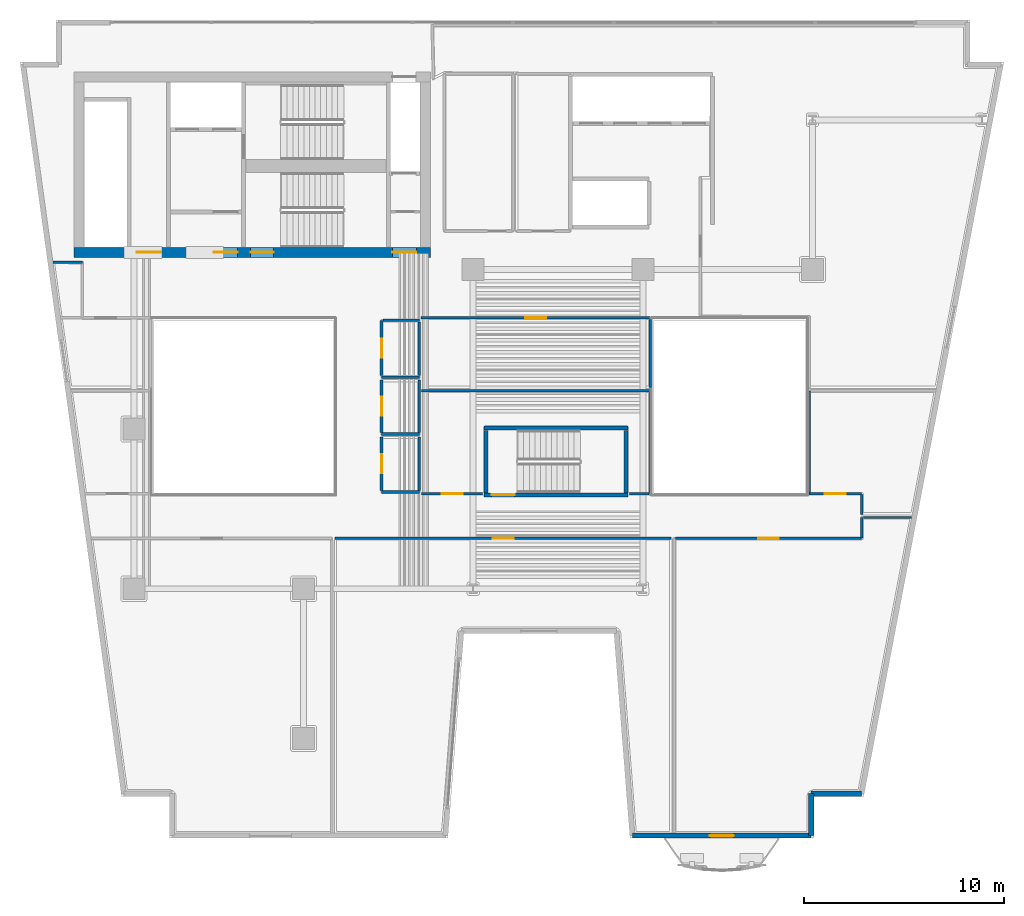
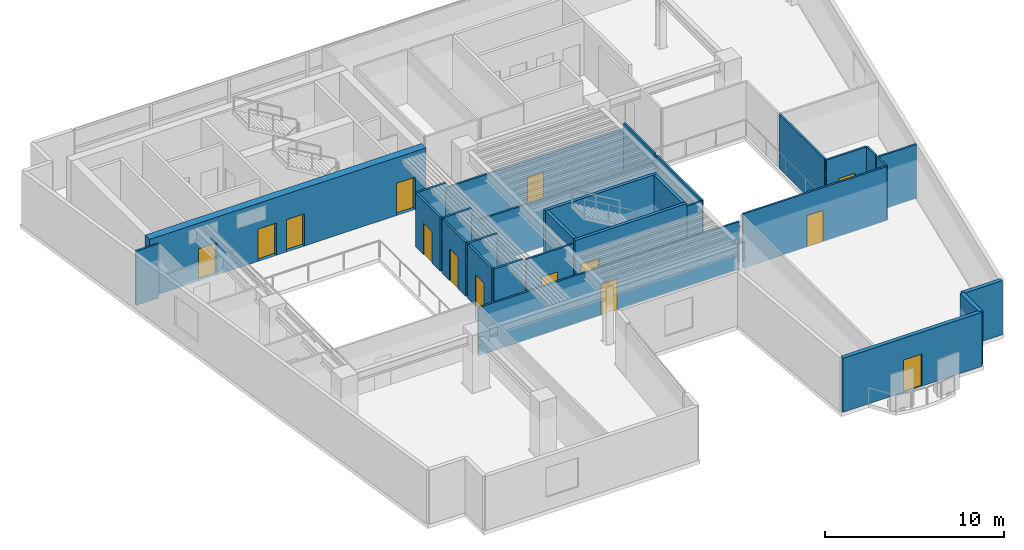
# One storey, part 6 of 13: 32 walls, 14 doors, 14 openings.
"""IFC4 building model written with IfcOpenShell, lengths in metres."""

from ifc_helpers import new_model, si_unit, direction, frame, frame_2d, origin, place, context, subcontext, project, spatial, rectangle, extrude, material, layer, layer_set, type_object, element, fill, save


model = new_model("IFC4")

# Units and contexts
model_context = context("Model", 3, precision=1e-05, world=origin(), true_north=direction((0.0, 1.0)))
body_context = subcontext(model_context, "Body", "Model", "MODEL_VIEW")
ifc_project = project(units=[si_unit("LENGTHUNIT", "METRE"), si_unit("AREAUNIT", "SQUARE_METRE"), si_unit("VOLUMEUNIT", "CUBIC_METRE"), si_unit("PLANEANGLEUNIT", "RADIAN"), si_unit("MASSUNIT", "GRAM", prefix="KILO")], contexts=[model_context])

# Site, building, storey
site_placement = place(None, origin())
site = spatial("IfcSite", under=ifc_project, at=site_placement, CompositionType="ELEMENT")
building_placement = place(site_placement, origin())
building = spatial("IfcBuilding", under=site, at=building_placement, Name="Caeloran Harvest Quay", CompositionType="ELEMENT")
storey_placement = place(building_placement, frame((0.0, 0.0, 139.050048828125)))
storey = spatial("IfcBuildingStorey", under=building, at=storey_placement, Name="L32", CompositionType="ELEMENT", Elevation=139.050048828125)

# Walls
ifc_material_1 = material(Name="Precast concrete C50/60", Category="concrete")
ifc_layer_1 = layer(ifc_material_1, 0.260009765625, Name="Precast concrete C50/60")
ifc_layer_set_1 = layer_set([ifc_layer_1], Name="Precast concrete C50/60")
wall_type_1 = type_object("IfcWallType", Name="ENV-WALL-EW-260", PredefinedType="STANDARD", material=ifc_layer_set_1)
wall_1_placement = place(storey_placement, frame((44.96337890625, 4.72998046875, 0.0), z_axis=(0.0, 0.0, 1.0), x_axis=(-1.0, 0.0, 0.0)))
element("IfcWall", 1, at=wall_1_placement, inside=storey, type_object=wall_type_1, Name="L32 Exterior Precast Concrete Facade Wall 10", PredefinedType="STANDARD", context=body_context, shape_type="SweptSolid", body=[
    extrude(rectangle(XDim=2.5234375, YDim=0.260009765625, at=frame_2d((1.26171875, 0.0))), origin(), (0.0, 0.0, 1.0), 3.68994140625),
])
wall_2_placement = place(storey_placement, frame((42.43994140625, 4.72998046875, 0.0), z_axis=(0.0, 0.0, 1.0), x_axis=(0.0, -1.0, 0.0)))
element("IfcWall", 2, at=wall_2_placement, inside=storey, type_object=wall_type_1, Name="L32 Exterior Precast Concrete Facade Wall 11", PredefinedType="STANDARD", context=body_context, shape_type="SweptSolid", body=[
    extrude(rectangle(XDim=2.10009765625, YDim=0.260009765625, at=frame_2d((1.050048828125, 0.0))), origin(), (0.0, 0.0, 1.0), 3.68994140625),
])

# Wall, opening, door
wall_3_placement = place(storey_placement, frame((42.43994140625, 2.6298828125, 0.0), z_axis=(0.0, 0.0, 1.0), x_axis=(-1.0, 0.0, 0.0)))
wall_3 = element("IfcWall", 3, at=wall_3_placement, inside=storey, type_object=wall_type_1, Name="L32 Exterior Precast Concrete Facade Wall 12", PredefinedType="STANDARD", context=body_context, shape_type="SweptSolid", body=[
    extrude(rectangle(XDim=8.96484375, YDim=0.260009765625, at=frame_2d((4.482421875, 0.0))), origin(), (0.0, 0.0, 1.0), 3.68994140625),
])
opening_1_placement = place(wall_3_placement, frame((3.882080078125, 0.0, 0.0)))
opening_1 = element("IfcOpeningElement", 4, at=opening_1_placement, cuts=wall_3, Name="Opening BD-01", PredefinedType="OPENING", context=body_context, shape_type="SweptSolid", body=[
    extrude(rectangle(XDim=1.199951171875, YDim=2.199951171875, at=frame_2d((0.60009765625, 1.10009765625))), frame((0.0, 0.14013671875, 0.0), z_axis=(0.0, -1.0, 0.0), x_axis=(1.0, 0.0, 0.0)), (0.0, 0.0, 1.0), 0.280029296875),
])
ifc_material_2 = material(Name="Thermally Broken Powder-Coated Aluminium and Safety Glass", Category="aluminium")
door_type_1 = type_object("IfcDoorType", Name="EXTDOOR-BD-01", OperationType="NOTDEFINED", PredefinedType="DOOR", material=ifc_material_2)
door_1_placement = place(opening_1_placement, origin())
door_1 = element("IfcDoor", 5, at=door_1_placement, inside=storey, type_object=door_type_1, Name="L32 Planted Balcony Glazed Access Door", OperationType="SINGLE_SWING_LEFT", OverallHeight=2.199951171875, OverallWidth=1.199951171875, PredefinedType="DOOR", context=body_context, shape_type="SweptSolid", body=[
    extrude(rectangle(XDim=1.199951171875, YDim=2.199951171875, at=frame_2d((0.60009765625, 1.10009765625))), frame((0.0, 0.02490234375, 0.0), z_axis=(0.0, -1.0, 0.0), x_axis=(1.0, 0.0, 0.0)), (0.0, 0.0, 1.0), 0.050048828125),
])
fill(opening_1, door_1)

# Walls
ifc_material_3 = material(Name="Twin-Stud Mineral-Wool Acoustic Gypsum Partition", Category="gypsum")
ifc_layer_2 = layer(ifc_material_3, 0.125, Name="Twin-Stud Mineral-Wool Acoustic Gypsum Partition")
ifc_layer_set_2 = layer_set([ifc_layer_2], Name="Twin-Stud Mineral-Wool Acoustic Gypsum Partition")
wall_type_2 = type_object("IfcWallType", Name="INT-WALL-PW-125", PredefinedType="PARTITIONING", material=ifc_layer_set_2)
wall_4_placement = place(storey_placement, frame((44.97998046875, 17.550048828125, 0.0), z_axis=(0.0, 0.0, 1.0), x_axis=(0.0, 1.0, 0.0)))
element("IfcWall", 6, at=wall_4_placement, inside=storey, type_object=wall_type_2, Name="Food Texture Sensory Laboratory Partition Wall", PredefinedType="PARTITIONING", context=body_context, shape_type="SweptSolid", body=[
    extrude(rectangle(XDim=1.02001953125, YDim=0.125, at=frame_2d((0.510009765625, 0.0))), origin(), (0.0, 0.0, 1.0), 3.68994140625),
])
wall_5_placement = place(storey_placement, frame((45.047607421875, 18.570068359375, 0.0), z_axis=(0.0, 0.0, 1.0), x_axis=(1.0, 0.0, 0.0)))
element("IfcWall", 7, at=wall_5_placement, inside=storey, type_object=wall_type_2, Name="Food Texture Sensory Laboratory Partition Wall", PredefinedType="PARTITIONING", context=body_context, shape_type="SweptSolid", body=[
    extrude(rectangle(XDim=2.421630859375, YDim=0.125, at=frame_2d((1.2109375, 0.0))), origin(), (0.0, 0.0, 1.0), 3.68994140625),
])

# Wall, opening, door
wall_6_placement = place(storey_placement, frame((35.6474609375, 17.52001953125, 0.0), z_axis=(0.0, 0.0, 1.0), x_axis=(1.0, 0.0, 0.0)))
wall_6 = element("IfcWall", 8, at=wall_6_placement, inside=storey, type_object=wall_type_2, Name="Food Texture Sensory Laboratory Partition Wall", PredefinedType="PARTITIONING", context=body_context, shape_type="SweptSolid", body=[
    extrude(rectangle(XDim=9.302490234375, YDim=0.125, at=frame_2d((4.6513671875, 0.0))), origin(), (0.0, 0.0, 1.0), 3.68994140625),
])
opening_2_placement = place(wall_6_placement, frame((4.126220703125, 0.0, 0.0)))
opening_2 = element("IfcOpeningElement", 9, at=opening_2_placement, cuts=wall_6, Name="Opening ID-03", PredefinedType="OPENING", context=body_context, shape_type="SweptSolid", body=[
    extrude(rectangle(XDim=1.050048828125, YDim=2.14990234375, at=frame_2d((0.52490234375, 1.074951171875))), frame((0.0, 0.072509765625, 0.0), z_axis=(0.0, -1.0, 0.0), x_axis=(1.0, 0.0, 0.0)), (0.0, 0.0, 1.0), 0.14501953125),
])
ifc_material_4 = material(Name="FSC Solid-Core Oak Timber Leaf", Category="wood")
door_type_2 = type_object("IfcDoorType", Name="INTDOOR-ID-03", OperationType="NOTDEFINED", PredefinedType="DOOR", material=ifc_material_4)
door_2_placement = place(opening_2_placement, origin())
door_2 = element("IfcDoor", 10, at=door_2_placement, inside=storey, type_object=door_type_2, Name="Food Texture Sensory Laboratory Access Door", OperationType="SINGLE_SWING_LEFT", OverallHeight=2.14990234375, OverallWidth=1.050048828125, PredefinedType="DOOR", context=body_context, shape_type="SweptSolid", body=[
    extrude(rectangle(XDim=1.050048828125, YDim=2.14990234375, at=frame_2d((0.52490234375, 1.074951171875))), frame((0.0, 0.02490234375, 0.0), z_axis=(0.0, -1.0, 0.0), x_axis=(1.0, 0.0, 0.0)), (0.0, 0.0, 1.0), 0.050048828125),
])
fill(opening_2, door_2)

wall_7_placement = place(storey_placement, frame((18.580078125, 17.52001953125, 0.0), z_axis=(0.0, 0.0, 1.0), x_axis=(1.0, 0.0, 0.0)))
wall_7 = element("IfcWall", 11, at=wall_7_placement, inside=storey, type_object=wall_type_2, Name="Fermentation Pilot Laboratory Partition Wall", PredefinedType="PARTITIONING", context=body_context, shape_type="SweptSolid", body=[
    extrude(rectangle(XDim=16.83984375, YDim=0.125, at=frame_2d((8.419921875, 0.0))), origin(), (0.0, 0.0, 1.0), 3.27490234375),
])
opening_3_placement = place(wall_7_placement, frame((7.89501953125, 0.0, 0.0)))
opening_3 = element("IfcOpeningElement", 12, at=opening_3_placement, cuts=wall_7, Name="Opening ID-03", PredefinedType="OPENING", context=body_context, shape_type="SweptSolid", body=[
    extrude(rectangle(XDim=1.050048828125, YDim=2.14990234375, at=frame_2d((0.52490234375, 1.074951171875))), frame((0.0, 0.072509765625, 0.0), z_axis=(0.0, -1.0, 0.0), x_axis=(1.0, 0.0, 0.0)), (0.0, 0.0, 1.0), 0.14501953125),
])
door_3_placement = place(opening_3_placement, origin())
door_3 = element("IfcDoor", 13, at=door_3_placement, inside=storey, type_object=door_type_2, Name="Fermentation Pilot Laboratory Access Door", OperationType="SINGLE_SWING_RIGHT", OverallHeight=2.14990234375, OverallWidth=1.050048828125, PredefinedType="DOOR", context=body_context, shape_type="SweptSolid", body=[
    extrude(rectangle(XDim=1.050048828125, YDim=2.14990234375, at=frame_2d((0.52490234375, 1.074951171875))), frame((0.0, 0.02490234375, 0.0), z_axis=(0.0, -1.0, 0.0), x_axis=(1.0, 0.0, 0.0)), (0.0, 0.0, 1.0), 0.050048828125),
])
fill(opening_3, door_3)

wall_8_placement = place(storey_placement, frame((44.949951171875, 19.75, 0.0), z_axis=(0.0, 0.0, 1.0), x_axis=(-1.0, 0.0, 0.0)))
wall_8 = element("IfcWall", 14, at=wall_8_placement, inside=storey, type_object=wall_type_2, Name="Bioreactor Pilot Hall Partition Wall", PredefinedType="PARTITIONING", context=body_context, shape_type="SweptSolid", body=[
    extrude(rectangle(XDim=2.619873046875, YDim=0.125, at=frame_2d((1.31005859375, 0.0))), origin(), (0.0, 0.0, 1.0), 3.68994140625),
])
opening_4_placement = place(wall_8_placement, frame((0.784912109375, 0.0, 0.0)))
opening_4 = element("IfcOpeningElement", 15, at=opening_4_placement, cuts=wall_8, Name="Opening ID-03", PredefinedType="OPENING", context=body_context, shape_type="SweptSolid", body=[
    extrude(rectangle(XDim=1.050048828125, YDim=2.14990234375, at=frame_2d((0.52490234375, 1.074951171875))), frame((0.0, 0.072509765625, 0.0), z_axis=(0.0, -1.0, 0.0), x_axis=(1.0, 0.0, 0.0)), (0.0, 0.0, 1.0), 0.14501953125),
])
door_4_placement = place(opening_4_placement, origin())
door_4 = element("IfcDoor", 16, at=door_4_placement, inside=storey, type_object=door_type_2, Name="Bioreactor Pilot Hall Access Door", OperationType="SINGLE_SWING_LEFT", OverallHeight=2.14990234375, OverallWidth=1.050048828125, PredefinedType="DOOR", context=body_context, shape_type="SweptSolid", body=[
    extrude(rectangle(XDim=1.050048828125, YDim=2.14990234375, at=frame_2d((0.52490234375, 1.074951171875))), frame((0.0, 0.02490234375, 0.0), z_axis=(0.0, -1.0, 0.0), x_axis=(1.0, 0.0, 0.0)), (0.0, 0.0, 1.0), 0.050048828125),
])
fill(opening_4, door_4)

# Walls
wall_9_placement = place(storey_placement, frame((42.330078125, 19.8173828125, 0.0), z_axis=(0.0, 0.0, 1.0), x_axis=(0.0, 1.0, 0.0)))
element("IfcWall", 17, at=wall_9_placement, inside=storey, type_object=wall_type_2, Name="Bioreactor Pilot Hall Partition Wall", PredefinedType="PARTITIONING", context=body_context, shape_type="SweptSolid", body=[
    extrude(rectangle(XDim=5.1025390625, YDim=0.125, at=frame_2d((2.55126953125, 0.0))), origin(), (0.0, 0.0, 1.0), 3.68994140625),
])
wall_10_placement = place(storey_placement, frame((44.97998046875, 18.72998046875, 0.0), z_axis=(0.0, 0.0, 1.0), x_axis=(0.0, 1.0, 0.0)))
element("IfcWall", 18, at=wall_10_placement, inside=storey, type_object=wall_type_2, Name="Bioreactor Pilot Hall Partition Wall", PredefinedType="PARTITIONING", context=body_context, shape_type="SweptSolid", body=[
    extrude(rectangle(XDim=0.989990234375, YDim=0.125, at=frame_2d((0.4951171875, 0.0))), origin(), (0.0, 0.0, 1.0), 3.68994140625),
])

# Wall, opening, door
wall_11_placement = place(storey_placement, frame((25.9755859375, 19.75, 0.0), z_axis=(0.0, 0.0, 1.0), x_axis=(-1.0, 0.0, 0.0)))
wall_11 = element("IfcWall", 19, at=wall_11_placement, inside=storey, type_object=wall_type_2, Name="Sensory Tasting Kitchen Partition Wall", PredefinedType="PARTITIONING", context=body_context, shape_type="SweptSolid", body=[
    extrude(rectangle(XDim=3.065673828125, YDim=0.125, at=frame_2d((1.53271484375, 0.0))), origin(), (0.0, 0.0, 1.0), 3.68994140625),
])
opening_5_placement = place(wall_11_placement, frame((1.0078125, 0.0, 0.0)))
opening_5 = element("IfcOpeningElement", 20, at=opening_5_placement, cuts=wall_11, Name="Opening ID-03", PredefinedType="OPENING", context=body_context, shape_type="SweptSolid", body=[
    extrude(rectangle(XDim=1.050048828125, YDim=2.14990234375, at=frame_2d((0.52490234375, 1.074951171875))), frame((0.0, 0.072509765625, 0.0), z_axis=(0.0, -1.0, 0.0), x_axis=(1.0, 0.0, 0.0)), (0.0, 0.0, 1.0), 0.14501953125),
])
door_5_placement = place(opening_5_placement, origin())
door_5 = element("IfcDoor", 21, at=door_5_placement, inside=storey, type_object=door_type_2, Name="Sensory Tasting Kitchen Access Door", OperationType="SINGLE_SWING_LEFT", OverallHeight=2.14990234375, OverallWidth=1.050048828125, PredefinedType="DOOR", context=body_context, shape_type="SweptSolid", body=[
    extrude(rectangle(XDim=1.050048828125, YDim=2.14990234375, at=frame_2d((0.52490234375, 1.074951171875))), frame((0.0, 0.02490234375, 0.0), z_axis=(0.0, -1.0, 0.0), x_axis=(1.0, 0.0, 0.0)), (0.0, 0.0, 1.0), 0.050048828125),
])
fill(opening_5, door_5)

# Walls
wall_12_placement = place(storey_placement, frame((22.909912109375, 24.919921875, 0.0), z_axis=(0.0, 0.0, 1.0), x_axis=(1.0, 0.0, 0.0)))
element("IfcWall", 22, at=wall_12_placement, inside=storey, type_object=wall_type_2, Name="Sensory Tasting Kitchen Partition Wall", PredefinedType="PARTITIONING", context=body_context, shape_type="SweptSolid", body=[
    extrude(rectangle(XDim=11.460205078125, YDim=0.125, at=frame_2d((5.72998046875, 0.0))), origin(), (0.0, 0.0, 1.0), 3.27490234375),
])
wall_13_placement = place(storey_placement, frame((34.3701171875, 24.8525390625, 0.0), z_axis=(0.0, 0.0, 1.0), x_axis=(0.0, -1.0, 0.0)))
element("IfcWall", 23, at=wall_13_placement, inside=storey, type_object=wall_type_2, Name="Sensory Tasting Kitchen Partition Wall", PredefinedType="PARTITIONING", context=body_context, shape_type="SweptSolid", body=[
    extrude(rectangle(XDim=5.1025390625, YDim=0.125, at=frame_2d((2.55126953125, 0.0))), origin(), (0.0, 0.0, 1.0), 3.68994140625),
])
wall_14_placement = place(storey_placement, frame((34.302490234375, 19.75, 0.0), z_axis=(0.0, 0.0, 1.0), x_axis=(-1.0, 0.0, 0.0)))
element("IfcWall", 24, at=wall_14_placement, inside=storey, type_object=wall_type_2, Name="Sensory Tasting Kitchen Partition Wall", PredefinedType="PARTITIONING", context=body_context, shape_type="SweptSolid", body=[
    extrude(rectangle(XDim=0.97802734375, YDim=0.125, at=frame_2d((0.489013671875, 0.0))), origin(), (0.0, 0.0, 1.0), 3.68994140625),
])

# Wall, opening, door
wall_15_placement = place(storey_placement, frame((22.889892578125, 28.570068359375, 0.0), z_axis=(0.0, 0.0, 1.0), x_axis=(1.0, 0.0, 0.0)))
wall_15 = element("IfcWall", 25, at=wall_15_placement, inside=storey, type_object=wall_type_2, Name="Staff Wellness Lounge Partition Wall", PredefinedType="PARTITIONING", context=body_context, shape_type="SweptSolid", body=[
    extrude(rectangle(XDim=11.480224609375, YDim=0.125, at=frame_2d((5.740234375, 0.0))), origin(), (0.0, 0.0, 1.0), 3.27490234375),
])
opening_6_placement = place(wall_15_placement, frame((5.215087890625, 0.0, 0.0)))
opening_6 = element("IfcOpeningElement", 26, at=opening_6_placement, cuts=wall_15, Name="Opening ID-03", PredefinedType="OPENING", context=body_context, shape_type="SweptSolid", body=[
    extrude(rectangle(XDim=1.050048828125, YDim=2.14990234375, at=frame_2d((0.52490234375, 1.074951171875))), frame((0.0, 0.072509765625, 0.0), z_axis=(0.0, -1.0, 0.0), x_axis=(1.0, 0.0, 0.0)), (0.0, 0.0, 1.0), 0.14501953125),
])
door_6_placement = place(opening_6_placement, origin())
door_6 = element("IfcDoor", 27, at=door_6_placement, inside=storey, type_object=door_type_2, Name="Staff Wellness Lounge Access Door", OperationType="SINGLE_SWING_RIGHT", OverallHeight=2.14990234375, OverallWidth=1.050048828125, PredefinedType="DOOR", context=body_context, shape_type="SweptSolid", body=[
    extrude(rectangle(XDim=1.050048828125, YDim=2.14990234375, at=frame_2d((0.52490234375, 1.074951171875))), frame((0.0, 0.02490234375, 0.0), z_axis=(0.0, -1.0, 0.0), x_axis=(1.0, 0.0, 0.0)), (0.0, 0.0, 1.0), 0.050048828125),
])
fill(opening_6, door_6)

# Walls
wall_16_placement = place(storey_placement, frame((34.3701171875, 28.50244140625, 0.0), z_axis=(0.0, 0.0, 1.0), x_axis=(0.0, -1.0, 0.0)))
element("IfcWall", 28, at=wall_16_placement, inside=storey, type_object=wall_type_2, Name="Staff Wellness Lounge Partition Wall", PredefinedType="PARTITIONING", context=body_context, shape_type="SweptSolid", body=[
    extrude(rectangle(XDim=3.42236328125, YDim=0.125, at=frame_2d((1.711181640625, 0.0))), origin(), (0.0, 0.0, 1.0), 3.68994140625),
])
wall_17_placement = place(storey_placement, frame((4.44775390625, 31.35009765625, 0.0), z_axis=(0.0, 0.0, 1.0), x_axis=(1.0, 0.0, 0.0)))
element("IfcWall", 29, at=wall_17_placement, inside=storey, type_object=wall_type_2, Name="Cellular Agriculture Bioprocess Laboratory 8 Partition Wall", PredefinedType="PARTITIONING", context=body_context, shape_type="SweptSolid", body=[
    extrude(rectangle(XDim=1.47216796875, YDim=0.125, at=frame_2d((0.736083984375, 0.0))), origin(), (0.0, 0.0, 1.0), 3.68994140625),
])
ifc_material_5 = material(Name="Moisture-Resistant Cement-Board Sanitary Partition", Category="gypsum")
ifc_layer_3 = layer(ifc_material_5, 0.139892578125, Name="Moisture-Resistant Cement-Board Sanitary Partition")
ifc_layer_set_3 = layer_set([ifc_layer_3], Name="Moisture-Resistant Cement-Board Sanitary Partition")
wall_type_3 = type_object("IfcWallType", Name="INT-WALL-PW-140", PredefinedType="PARTITIONING", material=ifc_layer_set_3)
wall_18_placement = place(storey_placement, frame((22.800048828125, 25.60009765625, 0.0), z_axis=(0.0, 0.0, 1.0), x_axis=(-1.0, 0.0, 0.0)))
element("IfcWall", 30, at=wall_18_placement, inside=storey, type_object=wall_type_3, Name="L32 Male Washroom WC Partition Wall", PredefinedType="PARTITIONING", context=body_context, shape_type="SweptSolid", body=[
    extrude(rectangle(XDim=1.89013671875, YDim=0.139892578125, at=frame_2d((0.945068359375, 0.0))), origin(), (0.0, 0.0, 1.0), 3.68994140625),
])

# Wall, opening, door
wall_19_placement = place(storey_placement, frame((20.909912109375, 25.675048828125, 0.0), z_axis=(0.0, 0.0, 1.0), x_axis=(0.0, 1.0, 0.0)))
wall_19 = element("IfcWall", 31, at=wall_19_placement, inside=storey, type_object=wall_type_3, Name="L32 Male Washroom WC Partition Wall", PredefinedType="PARTITIONING", context=body_context, shape_type="SweptSolid", body=[
    extrude(rectangle(XDim=2.77490234375, YDim=0.139892578125, at=frame_2d((1.387451171875, 0.0))), origin(), (0.0, 0.0, 1.0), 3.68994140625),
])
opening_7_placement = place(wall_19_placement, frame((0.91259765625, 0.0, 0.0)))
opening_7 = element("IfcOpeningElement", 32, at=opening_7_placement, cuts=wall_19, Name="Opening WC-01", PredefinedType="OPENING", context=body_context, shape_type="SweptSolid", body=[
    extrude(rectangle(XDim=0.949951171875, YDim=2.14990234375, at=frame_2d((0.47509765625, 1.074951171875))), frame((0.0, 0.080078125, 0.0), z_axis=(0.0, -1.0, 0.0), x_axis=(1.0, 0.0, 0.0)), (0.0, 0.0, 1.0), 0.159912109375),
])
ifc_material_6 = material(Name="High-Pressure Laminate Moisture-Resistant Timber", Category="wood")
door_type_3 = type_object("IfcDoorType", Name="INTDOOR-WC-01", OperationType="NOTDEFINED", PredefinedType="DOOR", material=ifc_material_6)
door_7_placement = place(opening_7_placement, origin())
door_7 = element("IfcDoor", 33, at=door_7_placement, inside=storey, type_object=door_type_3, Name="L32 Male Washroom WC Access Door", OperationType="SINGLE_SWING_LEFT", OverallHeight=2.14990234375, OverallWidth=0.949951171875, PredefinedType="DOOR", context=body_context, shape_type="SweptSolid", body=[
    extrude(rectangle(XDim=0.949951171875, YDim=2.14990234375, at=frame_2d((0.47509765625, 1.074951171875))), frame((0.0, 0.02490234375, 0.0), z_axis=(0.0, -1.0, 0.0), x_axis=(1.0, 0.0, 0.0)), (0.0, 0.0, 1.0), 0.050048828125),
])
fill(opening_7, door_7)

# Walls
wall_20_placement = place(storey_placement, frame((20.985107421875, 28.449951171875, 0.0), z_axis=(0.0, 0.0, 1.0), x_axis=(1.0, 0.0, 0.0)))
element("IfcWall", 34, at=wall_20_placement, inside=storey, type_object=wall_type_3, Name="L32 Male Washroom WC Partition Wall", PredefinedType="PARTITIONING", context=body_context, shape_type="SweptSolid", body=[
    extrude(rectangle(XDim=1.81494140625, YDim=0.139892578125, at=frame_2d((0.907470703125, 0.0))), origin(), (0.0, 0.0, 1.0), 3.68994140625),
])
wall_21_placement = place(storey_placement, frame((22.800048828125, 28.375, 0.0), z_axis=(0.0, 0.0, 1.0), x_axis=(0.0, -1.0, 0.0)))
element("IfcWall", 35, at=wall_21_placement, inside=storey, type_object=wall_type_3, Name="L32 Male Washroom WC Partition Wall", PredefinedType="PARTITIONING", context=body_context, shape_type="SweptSolid", body=[
    extrude(rectangle(XDim=2.699951171875, YDim=0.139892578125, at=frame_2d((1.35009765625, 0.0))), origin(), (0.0, 0.0, 1.0), 3.27490234375),
])
wall_22_placement = place(storey_placement, frame((22.800048828125, 22.75, 0.0), z_axis=(0.0, 0.0, 1.0), x_axis=(-1.0, 0.0, 0.0)))
element("IfcWall", 36, at=wall_22_placement, inside=storey, type_object=wall_type_3, Name="L32 Female Washroom WC Partition Wall", PredefinedType="PARTITIONING", context=body_context, shape_type="SweptSolid", body=[
    extrude(rectangle(XDim=1.89013671875, YDim=0.139892578125, at=frame_2d((0.945068359375, 0.0))), origin(), (0.0, 0.0, 1.0), 3.68994140625),
])

# Wall, opening, door
wall_23_placement = place(storey_placement, frame((20.909912109375, 22.824951171875, 0.0), z_axis=(0.0, 0.0, 1.0), x_axis=(0.0, 1.0, 0.0)))
wall_23 = element("IfcWall", 37, at=wall_23_placement, inside=storey, type_object=wall_type_3, Name="L32 Female Washroom WC Partition Wall", PredefinedType="PARTITIONING", context=body_context, shape_type="SweptSolid", body=[
    extrude(rectangle(XDim=2.625, YDim=0.139892578125, at=frame_2d((1.3125, 0.0))), origin(), (0.0, 0.0, 1.0), 3.68994140625),
])
opening_8_placement = place(wall_23_placement, frame((0.83740234375, 0.0, 0.0)))
opening_8 = element("IfcOpeningElement", 38, at=opening_8_placement, cuts=wall_23, Name="Opening WC-01", PredefinedType="OPENING", context=body_context, shape_type="SweptSolid", body=[
    extrude(rectangle(XDim=0.949951171875, YDim=2.14990234375, at=frame_2d((0.47509765625, 1.074951171875))), frame((0.0, 0.080078125, 0.0), z_axis=(0.0, -1.0, 0.0), x_axis=(1.0, 0.0, 0.0)), (0.0, 0.0, 1.0), 0.159912109375),
])
door_8_placement = place(opening_8_placement, origin())
door_8 = element("IfcDoor", 39, at=door_8_placement, inside=storey, type_object=door_type_3, Name="L32 Female Washroom WC Access Door", OperationType="SINGLE_SWING_RIGHT", OverallHeight=2.14990234375, OverallWidth=0.949951171875, PredefinedType="DOOR", context=body_context, shape_type="SweptSolid", body=[
    extrude(rectangle(XDim=0.949951171875, YDim=2.14990234375, at=frame_2d((0.47509765625, 1.074951171875))), frame((0.0, 0.02490234375, 0.0), z_axis=(0.0, -1.0, 0.0), x_axis=(1.0, 0.0, 0.0)), (0.0, 0.0, 1.0), 0.050048828125),
])
fill(opening_8, door_8)

# Walls
wall_24_placement = place(storey_placement, frame((22.800048828125, 25.449951171875, 0.0), z_axis=(0.0, 0.0, 1.0), x_axis=(0.0, -1.0, 0.0)))
element("IfcWall", 40, at=wall_24_placement, inside=storey, type_object=wall_type_3, Name="L32 Female Washroom WC Partition Wall", PredefinedType="PARTITIONING", context=body_context, shape_type="SweptSolid", body=[
    extrude(rectangle(XDim=2.625, YDim=0.139892578125, at=frame_2d((1.3125, 0.0))), origin(), (0.0, 0.0, 1.0), 3.27490234375),
])
wall_25_placement = place(storey_placement, frame((22.800048828125, 19.85009765625, 0.0), z_axis=(0.0, 0.0, 1.0), x_axis=(-1.0, 0.0, 0.0)))
element("IfcWall", 41, at=wall_25_placement, inside=storey, type_object=wall_type_3, Name="L32 Accessible Unisex Washroom WC Partition Wall", PredefinedType="PARTITIONING", context=body_context, shape_type="SweptSolid", body=[
    extrude(rectangle(XDim=1.89013671875, YDim=0.139892578125, at=frame_2d((0.945068359375, 0.0))), origin(), (0.0, 0.0, 1.0), 3.68994140625),
])

# Wall, opening, door
wall_26_placement = place(storey_placement, frame((20.909912109375, 19.925048828125, 0.0), z_axis=(0.0, 0.0, 1.0), x_axis=(0.0, 1.0, 0.0)))
wall_26 = element("IfcWall", 42, at=wall_26_placement, inside=storey, type_object=wall_type_3, Name="L32 Accessible Unisex Washroom WC Partition Wall", PredefinedType="PARTITIONING", context=body_context, shape_type="SweptSolid", body=[
    extrude(rectangle(XDim=2.675048828125, YDim=0.139892578125, at=frame_2d((1.33740234375, 0.0))), origin(), (0.0, 0.0, 1.0), 3.68994140625),
])
opening_9_placement = place(wall_26_placement, frame((0.862548828125, 0.0, 0.0)))
opening_9 = element("IfcOpeningElement", 43, at=opening_9_placement, cuts=wall_26, Name="Opening WC-01", PredefinedType="OPENING", context=body_context, shape_type="SweptSolid", body=[
    extrude(rectangle(XDim=0.949951171875, YDim=2.14990234375, at=frame_2d((0.47509765625, 1.074951171875))), frame((0.0, 0.080078125, 0.0), z_axis=(0.0, -1.0, 0.0), x_axis=(1.0, 0.0, 0.0)), (0.0, 0.0, 1.0), 0.159912109375),
])
door_9_placement = place(opening_9_placement, origin())
door_9 = element("IfcDoor", 44, at=door_9_placement, inside=storey, type_object=door_type_3, Name="L32 Accessible Unisex Washroom WC Access Door", OperationType="SINGLE_SWING_LEFT", OverallHeight=2.14990234375, OverallWidth=0.949951171875, PredefinedType="DOOR", context=body_context, shape_type="SweptSolid", body=[
    extrude(rectangle(XDim=0.949951171875, YDim=2.14990234375, at=frame_2d((0.47509765625, 1.074951171875))), frame((0.0, 0.02490234375, 0.0), z_axis=(0.0, -1.0, 0.0), x_axis=(1.0, 0.0, 0.0)), (0.0, 0.0, 1.0), 0.050048828125),
])
fill(opening_9, door_9)

# Wall
wall_27_placement = place(storey_placement, frame((22.800048828125, 22.60009765625, 0.0), z_axis=(0.0, 0.0, 1.0), x_axis=(0.0, -1.0, 0.0)))
element("IfcWall", 45, at=wall_27_placement, inside=storey, type_object=wall_type_3, Name="L32 Accessible Unisex Washroom WC Partition Wall", PredefinedType="PARTITIONING", context=body_context, shape_type="SweptSolid", body=[
    extrude(rectangle(XDim=2.675048828125, YDim=0.139892578125, at=frame_2d((1.33740234375, 0.0))), origin(), (0.0, 0.0, 1.0), 3.27490234375),
])

# Wall, openings, doors
ifc_material_7 = material(Name="Concrete C70/85", Category="concrete")
ifc_layer_4 = layer(ifc_material_7, 0.5, Name="Concrete C70/85")
ifc_layer_set_4 = layer_set([ifc_layer_4], Name="Concrete C70/85")
wall_type_4 = type_object("IfcWallType", Name="STR-WALL-CW-500", PredefinedType="SHEAR", material=ifc_layer_set_4)
wall_28_placement = place(storey_placement, frame((5.5, 31.85009765625, 0.0), z_axis=(0.0, 0.0, 1.0), x_axis=(1.0, 0.0, 0.0)))
wall_28 = element("IfcWall", 46, at=wall_28_placement, inside=storey, type_object=wall_type_4, Name="L32 Rear Core Shear Wall S", PredefinedType="SHEAR", context=body_context, shape_type="SweptSolid", body=[
    extrude(rectangle(XDim=17.85009765625, YDim=0.5, at=frame_2d((8.925048828125, 0.0))), origin(), (0.0, 0.0, 1.0), 3.949951171875),
])
opening_10_placement = place(wall_28_placement, frame((3.14990234375, 0.0, 0.0)))
opening_10 = element("IfcOpeningElement", 47, at=opening_10_placement, cuts=wall_28, Name="Opening FD-01", PredefinedType="OPENING", context=body_context, shape_type="SweptSolid", body=[
    extrude(rectangle(XDim=1.199951171875, YDim=2.199951171875, at=frame_2d((0.60009765625, 1.10009765625))), frame((0.0, 0.260009765625, 0.0), z_axis=(0.0, -1.0, 0.0), x_axis=(1.0, 0.0, 0.0)), (0.0, 0.0, 1.0), 0.52001953125),
])
opening_11_placement = place(wall_28_placement, frame((7.0, 0.0, 0.0)))
opening_11 = element("IfcOpeningElement", 48, at=opening_11_placement, cuts=wall_28, Name="Opening FD-01", PredefinedType="OPENING", context=body_context, shape_type="SweptSolid", body=[
    extrude(rectangle(XDim=1.199951171875, YDim=2.199951171875, at=frame_2d((0.60009765625, 1.10009765625))), frame((0.0, 0.260009765625, 0.0), z_axis=(0.0, -1.0, 0.0), x_axis=(1.0, 0.0, 0.0)), (0.0, 0.0, 1.0), 0.52001953125),
])
opening_12_placement = place(wall_28_placement, frame((8.85009765625, 0.0, 0.0)))
opening_12 = element("IfcOpeningElement", 49, at=opening_12_placement, cuts=wall_28, Name="Opening SD-01", PredefinedType="OPENING", context=body_context, shape_type="SweptSolid", body=[
    extrude(rectangle(XDim=1.14990234375, YDim=2.199951171875, at=frame_2d((0.574951171875, 1.10009765625))), frame((0.0, 0.260009765625, 0.0), z_axis=(0.0, -1.0, 0.0), x_axis=(1.0, 0.0, 0.0)), (0.0, 0.0, 1.0), 0.52001953125),
])
opening_13_placement = place(wall_28_placement, frame((15.949951171875, 0.0, 0.0)))
opening_13 = element("IfcOpeningElement", 50, at=opening_13_placement, cuts=wall_28, Name="Opening FD-01", PredefinedType="OPENING", context=body_context, shape_type="SweptSolid", body=[
    extrude(rectangle(XDim=1.199951171875, YDim=2.199951171875, at=frame_2d((0.60009765625, 1.10009765625))), frame((0.0, 0.260009765625, 0.0), z_axis=(0.0, -1.0, 0.0), x_axis=(1.0, 0.0, 0.0)), (0.0, 0.0, 1.0), 0.52001953125),
])
ifc_material_8 = material(Name="Steel", Category="steel")
door_type_4 = type_object("IfcDoorType", Name="INTDOOR-FD-01", OperationType="NOTDEFINED", PredefinedType="DOOR", material=ifc_material_8)
door_10_placement = place(opening_10_placement, origin())
door_10 = element("IfcDoor", 51, at=door_10_placement, inside=storey, type_object=door_type_4, Name="L32 High-Rise Lift Lobby Fire Door", OperationType="SINGLE_SWING_RIGHT", OverallHeight=2.199951171875, OverallWidth=1.199951171875, PredefinedType="DOOR", context=body_context, shape_type="SweptSolid", body=[
    extrude(rectangle(XDim=1.199951171875, YDim=2.199951171875, at=frame_2d((0.60009765625, 1.10009765625))), frame((0.0, 0.02490234375, 0.0), z_axis=(0.0, -1.0, 0.0), x_axis=(1.0, 0.0, 0.0)), (0.0, 0.0, 1.0), 0.050048828125),
])
fill(opening_10, door_10)
door_11_placement = place(opening_11_placement, origin())
door_11 = element("IfcDoor", 52, at=door_11_placement, inside=storey, type_object=door_type_4, Name="L32 Firefighting Lobby Vestibule Fire Door", OperationType="SINGLE_SWING_LEFT", OverallHeight=2.199951171875, OverallWidth=1.199951171875, PredefinedType="DOOR", context=body_context, shape_type="SweptSolid", body=[
    extrude(rectangle(XDim=1.199951171875, YDim=2.199951171875, at=frame_2d((0.60009765625, 1.10009765625))), frame((0.0, 0.02490234375, 0.0), z_axis=(0.0, -1.0, 0.0), x_axis=(1.0, 0.0, 0.0)), (0.0, 0.0, 1.0), 0.050048828125),
])
fill(opening_11, door_11)
door_12_placement = place(opening_13_placement, origin())
door_12 = element("IfcDoor", 53, at=door_12_placement, inside=storey, type_object=door_type_4, Name="L32 Service Lift Lobby Fire Door", OperationType="SINGLE_SWING_LEFT", OverallHeight=2.199951171875, OverallWidth=1.199951171875, PredefinedType="DOOR", context=body_context, shape_type="SweptSolid", body=[
    extrude(rectangle(XDim=1.199951171875, YDim=2.199951171875, at=frame_2d((0.60009765625, 1.10009765625))), frame((0.0, 0.02490234375, 0.0), z_axis=(0.0, -1.0, 0.0), x_axis=(1.0, 0.0, 0.0)), (0.0, 0.0, 1.0), 0.050048828125),
])
fill(opening_13, door_12)
door_type_5 = type_object("IfcDoorType", Name="INTDOOR-SD-01", OperationType="NOTDEFINED", PredefinedType="DOOR", material=ifc_material_8)
door_13_placement = place(opening_12_placement, origin())
door_13 = element("IfcDoor", 54, at=door_13_placement, inside=storey, type_object=door_type_5, Name="L32 Protected Stair ST-C2 Exit Door", OperationType="SINGLE_SWING_RIGHT", OverallHeight=2.199951171875, OverallWidth=1.14990234375, PredefinedType="DOOR", context=body_context, shape_type="SweptSolid", body=[
    extrude(rectangle(XDim=1.14990234375, YDim=2.199951171875, at=frame_2d((0.574951171875, 1.10009765625))), frame((0.0, 0.02490234375, 0.0), z_axis=(0.0, -1.0, 0.0), x_axis=(1.0, 0.0, 0.0)), (0.0, 0.0, 1.0), 0.050048828125),
])
fill(opening_12, door_13)

# Wall, opening, door
ifc_material_9 = material(Name="Concrete C60/75", Category="concrete")
ifc_layer_5 = layer(ifc_material_9, 0.199951171875, Name="Concrete C60/75")
ifc_layer_set_5 = layer_set([ifc_layer_5], Name="Concrete C60/75")
wall_type_5 = type_object("IfcWallType", Name="STR-WALL-SW-200", PredefinedType="SHEAR", material=ifc_layer_set_5)
wall_29_placement = place(storey_placement, frame((26.050048828125, 19.699951171875, 0.0), z_axis=(0.0, 0.0, 1.0), x_axis=(1.0, 0.0, 0.0)))
wall_29 = element("IfcWall", 55, at=wall_29_placement, inside=storey, type_object=wall_type_5, Name="L32 Stair ST-W1 S RC Shaft Shear Wall", PredefinedType="SHEAR", context=body_context, shape_type="SweptSolid", body=[
    extrude(rectangle(XDim=7.199951171875, YDim=0.199951171875, at=frame_2d((3.60009765625, 0.0))), origin(), (0.0, 0.0, 1.0), 3.949951171875),
])
opening_14_placement = place(wall_29_placement, frame((0.3798828125, 0.0, 0.0)))
opening_14 = element("IfcOpeningElement", 56, at=opening_14_placement, cuts=wall_29, Name="Opening SD-01", PredefinedType="OPENING", context=body_context, shape_type="SweptSolid", body=[
    extrude(rectangle(XDim=1.14990234375, YDim=2.199951171875, at=frame_2d((0.574951171875, 1.10009765625))), frame((0.0, 0.10986328125, 0.0), z_axis=(0.0, -1.0, 0.0), x_axis=(1.0, 0.0, 0.0)), (0.0, 0.0, 1.0), 0.219970703125),
])
door_14_placement = place(opening_14_placement, origin())
door_14 = element("IfcDoor", 57, at=door_14_placement, inside=storey, type_object=door_type_5, Name="L32 Protected Exit Stair ST-W1 Fire Door", OperationType="SINGLE_SWING_LEFT", OverallHeight=2.199951171875, OverallWidth=1.14990234375, PredefinedType="DOOR", context=body_context, shape_type="SweptSolid", body=[
    extrude(rectangle(XDim=1.14990234375, YDim=2.199951171875, at=frame_2d((0.574951171875, 1.10009765625))), frame((0.0, 0.02490234375, 0.0), z_axis=(0.0, -1.0, 0.0), x_axis=(1.0, 0.0, 0.0)), (0.0, 0.0, 1.0), 0.050048828125),
])
fill(opening_14, door_14)

# Walls
wall_30_placement = place(storey_placement, frame((26.050048828125, 23.050048828125, 0.0), z_axis=(0.0, 0.0, 1.0), x_axis=(1.0, 0.0, 0.0)))
element("IfcWall", 58, at=wall_30_placement, inside=storey, type_object=wall_type_5, Name="L32 Stair ST-W1 N RC Shaft Shear Wall", PredefinedType="SHEAR", context=body_context, shape_type="SweptSolid", body=[
    extrude(rectangle(XDim=7.199951171875, YDim=0.199951171875, at=frame_2d((3.60009765625, 0.0))), origin(), (0.0, 0.0, 1.0), 3.949951171875),
])
for number, where, z_axis, x_axis, name in (
    (59, (26.14990234375, 19.81005859375, 0.0), (0.0, 0.0, 1.0), (0.0, 1.0, 0.0), "L32 Stair ST-W1 W RC Shaft Shear Wall"),
    (60, (33.14990234375, 19.81005859375, 0.0), (0.0, 0.0, 1.0), (0.0, 1.0, 0.0), "L32 Stair ST-W1 E RC Shaft Shear Wall"),
):
    element("IfcWall", number, at=place(storey_placement, frame(where, z_axis=z_axis, x_axis=x_axis)), inside=storey, type_object=wall_type_5, Name=name, PredefinedType="SHEAR", context=body_context, shape_type="SweptSolid", body=[
        extrude(rectangle(XDim=3.1298828125, YDim=0.199951171875, at=frame_2d((1.56494140625, 0.0))), origin(), (0.0, 0.0, 1.0), 3.949951171875),
    ])

save(model, "model.ifc")
